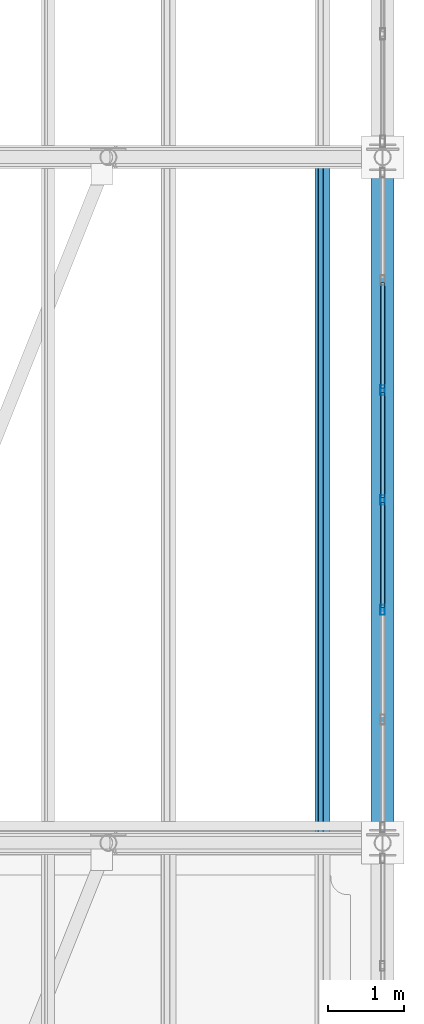
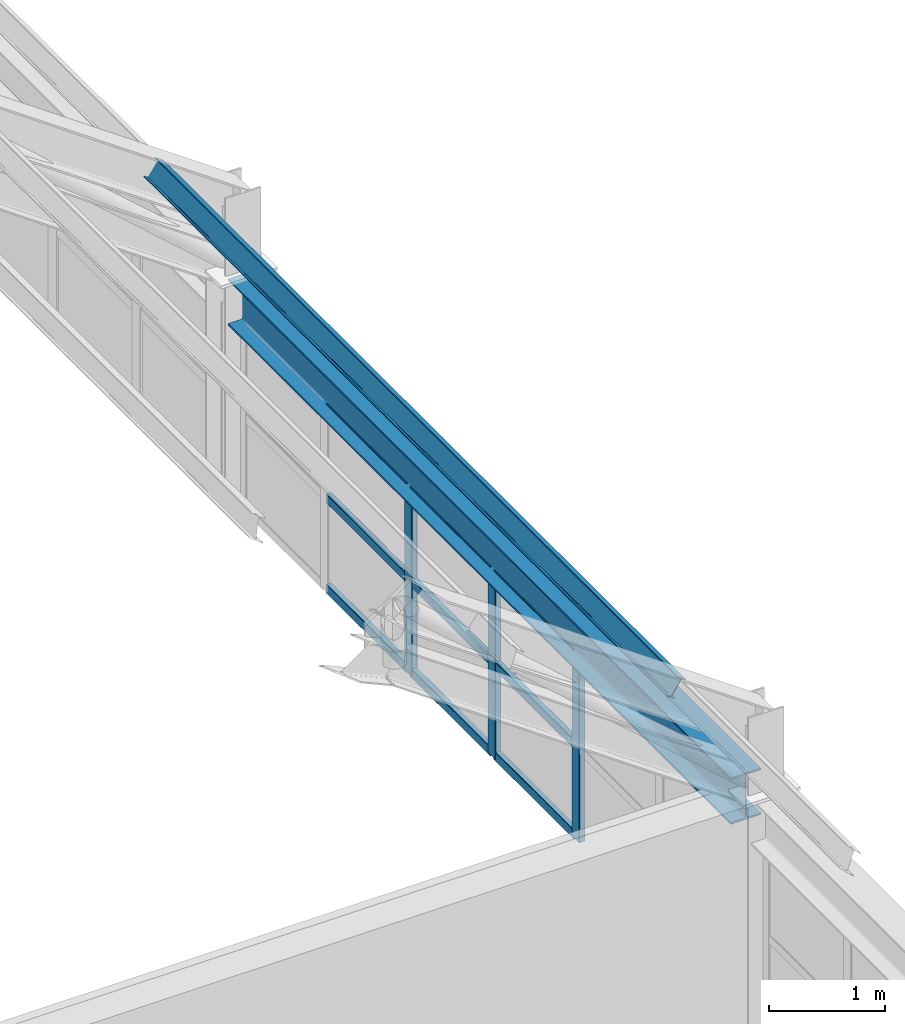
# One storey, part 41 of 121: 13 members, 1 beam, 1 element without a shape of its own.
"""IFC4 building model written with IfcOpenShell, lengths in metres."""

from ifc_helpers import new_model, si_unit, direction, frame, origin, origin_2d, place, context, subcontext, project, spatial, hollow_rectangle, i_section, extrude, material, material_profile, profile_set, type_object, element, aggregate, save


model = new_model("IFC4")

# Units and contexts
model_context = context("Model", 3, precision=1e-05, world=origin(), true_north=direction((0.0, 1.0)))
body_context = subcontext(model_context, "Body", "Model", "MODEL_VIEW")
ifc_project = project(units=[si_unit("LENGTHUNIT", "METRE"), si_unit("AREAUNIT", "SQUARE_METRE"), si_unit("VOLUMEUNIT", "CUBIC_METRE"), si_unit("PLANEANGLEUNIT", "RADIAN"), si_unit("MASSUNIT", "GRAM", prefix="KILO")], contexts=[model_context])

# Site, building, storey
site_placement = place(None, origin())
site = spatial("IfcSite", under=ifc_project, at=site_placement, CompositionType="ELEMENT")
building_placement = place(site_placement, origin())
building = spatial("IfcBuilding", under=site, at=building_placement, Name="Canglan Escarpment Cableway Terminal", CompositionType="ELEMENT")
storey_placement = place(building_placement, frame((0.0, 0.0, 24.60009765625)))
storey = spatial("IfcBuildingStorey", under=building, at=storey_placement, Name="L05", CompositionType="ELEMENT", Elevation=24.60009765625)

# Beam
ifc_material_1 = material(Name="Steel Q355B", Category="steel")
ifc_material_profile_1 = material_profile(ifc_material_1, i_section(OverallWidth=0.300048828125, OverallDepth=0.488037109375, WebThickness=0.010986328125, FlangeThickness=0.01806640625, FilletRadius=0.02587890625, at=origin_2d()), Name="HM 488x300x11x18")
ifc_profile_set_1 = profile_set([ifc_material_profile_1], Name="Steel Q355B")
beam_type = type_object("IfcBeamType", Name="BM-HM488", PredefinedType="BEAM", material=ifc_profile_set_1)
beam_placement = place(storey_placement, frame((166.39990234375, 52.175048828125, 2.1884765625), z_axis=(0.0, 1.0, 0.0), x_axis=(-1.0, 0.0, 0.0)))
element("IfcBeam", 1, at=beam_placement, inside=storey, type_object=beam_type, Name="Vault springing ring girder B-09", PredefinedType="BEAM", context=body_context, shape_type="SweptSolid", body=[
    extrude(i_section(OverallWidth=0.300048828125, OverallDepth=0.488037109375, WebThickness=0.010986328125, FlangeThickness=0.01806640625, FilletRadius=0.02587890625, at=origin_2d()), origin(), (0.0, 0.0, 1.0), 8.64990234375),
])

# Curtain wall, members
ifc_material_2 = material(Name="Anodized bronze aluminium and Low-E double glazing", Category="aluminium")
curtain_wall_type = type_object("IfcCurtainWallType", Name="CW-BAY-8650x1950", PredefinedType="NOTDEFINED", material=ifc_material_2)
curtain_wall_placement = place(storey_placement, origin())
curtain_wall = element("IfcCurtainWall", 2, at=curtain_wall_placement, inside=storey, type_object=curtain_wall_type, Name="Classical bay-between-piers glazed curtain wall CW-66", PredefinedType="NOTDEFINED")
ifc_material_3 = material(Name="Thermally broken anodized aluminium 6063-T6", Category="aluminium")
ifc_material_profile_2 = material_profile(ifc_material_3, hollow_rectangle(XDim=0.06005859375, YDim=0.1298828125, WallThickness=0.0029296875, InnerFilletRadius=0.0029296875, OuterFilletRadius=0.006103515625, at=origin_2d()), Name="ALU-MULL 60x130x3")
ifc_profile_set_2 = profile_set([ifc_material_profile_2], Name="Thermally broken anodized aluminium 6063-T6")
member_type_1 = type_object("IfcMemberType", Name="CWM-01", PredefinedType="MULLION", material=ifc_profile_set_2)
member_1_placement = place(storey_placement, frame((166.39990234375, 55.058349609375, 0.0), z_axis=(0.0, 0.0, 1.0), x_axis=(-1.0, 0.0, 0.0)))
member_1 = element("IfcMember", 3, at=member_1_placement, type_object=member_type_1, Name="CW-66 mullion 3", PredefinedType="MULLION", context=body_context, shape_type="SweptSolid", body=[
    extrude(hollow_rectangle(XDim=0.06005859375, YDim=0.1298828125, WallThickness=0.0029296875, InnerFilletRadius=0.0029296875, OuterFilletRadius=0.006103515625, at=origin_2d()), origin(), (0.0, 0.0, 1.0), 1.949951171875),
])
member_2_placement = place(storey_placement, frame((166.39990234375, 56.5, 0.0), z_axis=(0.0, 0.0, 1.0), x_axis=(-1.0, 0.0, 0.0)))
member_2 = element("IfcMember", 4, at=member_2_placement, type_object=member_type_1, Name="CW-66 mullion 4", PredefinedType="MULLION", context=body_context, shape_type="SweptSolid", body=[
    extrude(hollow_rectangle(XDim=0.06005859375, YDim=0.1298828125, WallThickness=0.0029296875, InnerFilletRadius=0.0029296875, OuterFilletRadius=0.006103515625, at=origin_2d()), origin(), (0.0, 0.0, 1.0), 1.949951171875),
])
member_3_placement = place(storey_placement, frame((166.39990234375, 57.941650390625, 0.0), z_axis=(0.0, 0.0, 1.0), x_axis=(-1.0, 0.0, 0.0)))
member_3 = element("IfcMember", 5, at=member_3_placement, type_object=member_type_1, Name="CW-66 mullion 5", PredefinedType="MULLION", context=body_context, shape_type="SweptSolid", body=[
    extrude(hollow_rectangle(XDim=0.06005859375, YDim=0.1298828125, WallThickness=0.0029296875, InnerFilletRadius=0.0029296875, OuterFilletRadius=0.006103515625, at=origin_2d()), origin(), (0.0, 0.0, 1.0), 1.949951171875),
])
ifc_material_profile_3 = material_profile(ifc_material_3, hollow_rectangle(XDim=0.054931640625, YDim=0.094970703125, WallThickness=0.0029296875, InnerFilletRadius=0.0029296875, OuterFilletRadius=0.006103515625, at=origin_2d()), Name="ALU-TRAN 55x95x3")
ifc_profile_set_3 = profile_set([ifc_material_profile_3], Name="Thermally broken anodized aluminium 6063-T6")
member_type_2 = type_object("IfcMemberType", Name="CWT-01", PredefinedType="USERDEFINED", material=ifc_profile_set_3)
member_4_placement = place(storey_placement, frame((166.39990234375, 55.08837890625, 0.02734375), z_axis=(0.0, 1.0, 0.0), x_axis=(-1.0, 0.0, 0.0)))
member_4 = element("IfcMember", 6, at=member_4_placement, type_object=member_type_2, Name="CW-66 transom 3.1", ObjectType="TRANSOM", PredefinedType="USERDEFINED", context=body_context, shape_type="SweptSolid", body=[
    extrude(hollow_rectangle(XDim=0.054931640625, YDim=0.094970703125, WallThickness=0.0029296875, InnerFilletRadius=0.0029296875, OuterFilletRadius=0.006103515625, at=origin_2d()), origin(), (0.0, 0.0, 1.0), 1.381591796875),
])
member_5_placement = place(storey_placement, frame((166.39990234375, 55.08837890625, 0.974853515625), z_axis=(0.0, 1.0, 0.0), x_axis=(-1.0, 0.0, 0.0)))
member_5 = element("IfcMember", 7, at=member_5_placement, type_object=member_type_2, Name="CW-66 transom 3.2", ObjectType="TRANSOM", PredefinedType="USERDEFINED", context=body_context, shape_type="SweptSolid", body=[
    extrude(hollow_rectangle(XDim=0.054931640625, YDim=0.094970703125, WallThickness=0.0029296875, InnerFilletRadius=0.0029296875, OuterFilletRadius=0.006103515625, at=origin_2d()), origin(), (0.0, 0.0, 1.0), 1.381591796875),
])
member_6_placement = place(storey_placement, frame((166.39990234375, 55.08837890625, 1.92236328125), z_axis=(0.0, 1.0, 0.0), x_axis=(-1.0, 0.0, 0.0)))
member_6 = element("IfcMember", 8, at=member_6_placement, type_object=member_type_2, Name="CW-66 transom 3.3", ObjectType="TRANSOM", PredefinedType="USERDEFINED", context=body_context, shape_type="SweptSolid", body=[
    extrude(hollow_rectangle(XDim=0.054931640625, YDim=0.094970703125, WallThickness=0.0029296875, InnerFilletRadius=0.0029296875, OuterFilletRadius=0.006103515625, at=origin_2d()), origin(), (0.0, 0.0, 1.0), 1.381591796875),
])
member_7_placement = place(storey_placement, frame((166.39990234375, 56.530029296875, 0.02734375), z_axis=(0.0, 1.0, 0.0), x_axis=(-1.0, 0.0, 0.0)))
member_7 = element("IfcMember", 9, at=member_7_placement, type_object=member_type_2, Name="CW-66 transom 4.1", ObjectType="TRANSOM", PredefinedType="USERDEFINED", context=body_context, shape_type="SweptSolid", body=[
    extrude(hollow_rectangle(XDim=0.054931640625, YDim=0.094970703125, WallThickness=0.0029296875, InnerFilletRadius=0.0029296875, OuterFilletRadius=0.006103515625, at=origin_2d()), origin(), (0.0, 0.0, 1.0), 1.381591796875),
])
member_8_placement = place(storey_placement, frame((166.39990234375, 56.530029296875, 0.974853515625), z_axis=(0.0, 1.0, 0.0), x_axis=(-1.0, 0.0, 0.0)))
member_8 = element("IfcMember", 10, at=member_8_placement, type_object=member_type_2, Name="CW-66 transom 4.2", ObjectType="TRANSOM", PredefinedType="USERDEFINED", context=body_context, shape_type="SweptSolid", body=[
    extrude(hollow_rectangle(XDim=0.054931640625, YDim=0.094970703125, WallThickness=0.0029296875, InnerFilletRadius=0.0029296875, OuterFilletRadius=0.006103515625, at=origin_2d()), origin(), (0.0, 0.0, 1.0), 1.381591796875),
])
member_9_placement = place(storey_placement, frame((166.39990234375, 56.530029296875, 1.92236328125), z_axis=(0.0, 1.0, 0.0), x_axis=(-1.0, 0.0, 0.0)))
member_9 = element("IfcMember", 11, at=member_9_placement, type_object=member_type_2, Name="CW-66 transom 4.3", ObjectType="TRANSOM", PredefinedType="USERDEFINED", context=body_context, shape_type="SweptSolid", body=[
    extrude(hollow_rectangle(XDim=0.054931640625, YDim=0.094970703125, WallThickness=0.0029296875, InnerFilletRadius=0.0029296875, OuterFilletRadius=0.006103515625, at=origin_2d()), origin(), (0.0, 0.0, 1.0), 1.381591796875),
])
member_10_placement = place(storey_placement, frame((166.39990234375, 57.9716796875, 0.02734375), z_axis=(0.0, 1.0, 0.0), x_axis=(-1.0, 0.0, 0.0)))
member_10 = element("IfcMember", 12, at=member_10_placement, type_object=member_type_2, Name="CW-66 transom 5.1", ObjectType="TRANSOM", PredefinedType="USERDEFINED", context=body_context, shape_type="SweptSolid", body=[
    extrude(hollow_rectangle(XDim=0.054931640625, YDim=0.094970703125, WallThickness=0.0029296875, InnerFilletRadius=0.0029296875, OuterFilletRadius=0.006103515625, at=origin_2d()), origin(), (0.0, 0.0, 1.0), 1.381591796875),
])
member_11_placement = place(storey_placement, frame((166.39990234375, 57.9716796875, 0.974853515625), z_axis=(0.0, 1.0, 0.0), x_axis=(-1.0, 0.0, 0.0)))
member_11 = element("IfcMember", 13, at=member_11_placement, type_object=member_type_2, Name="CW-66 transom 5.2", ObjectType="TRANSOM", PredefinedType="USERDEFINED", context=body_context, shape_type="SweptSolid", body=[
    extrude(hollow_rectangle(XDim=0.054931640625, YDim=0.094970703125, WallThickness=0.0029296875, InnerFilletRadius=0.0029296875, OuterFilletRadius=0.006103515625, at=origin_2d()), origin(), (0.0, 0.0, 1.0), 1.381591796875),
])
member_12_placement = place(storey_placement, frame((166.39990234375, 57.9716796875, 1.92236328125), z_axis=(0.0, 1.0, 0.0), x_axis=(-1.0, 0.0, 0.0)))
member_12 = element("IfcMember", 14, at=member_12_placement, type_object=member_type_2, Name="CW-66 transom 5.3", ObjectType="TRANSOM", PredefinedType="USERDEFINED", context=body_context, shape_type="SweptSolid", body=[
    extrude(hollow_rectangle(XDim=0.054931640625, YDim=0.094970703125, WallThickness=0.0029296875, InnerFilletRadius=0.0029296875, OuterFilletRadius=0.006103515625, at=origin_2d()), origin(), (0.0, 0.0, 1.0), 1.381591796875),
])
aggregate(curtain_wall, [member_1, member_2, member_3, member_4, member_5, member_6, member_7, member_8, member_9, member_10, member_11, member_12])

# Member
ifc_material_profile_4 = material_profile(ifc_material_1, i_section(OverallWidth=0.10009765625, OverallDepth=0.199951171875, WebThickness=0.005615234375, FlangeThickness=0.008056640625, FilletRadius=0.010986328125, at=origin_2d()), Name="HN 200x100x5.5x8")
ifc_profile_set_4 = profile_set([ifc_material_profile_4], Name="Steel Q355B")
member_type_3 = type_object("IfcMemberType", Name="MB-VAULT-PUR-HN200", PredefinedType="PURLIN", material=ifc_profile_set_4)
member_13_placement = place(storey_placement, frame((165.60791015625, 52.0, 3.712890625), z_axis=(0.0, 1.0, 0.0), x_axis=(-0.817727996784, 0.0, 0.575604832568)))
element("IfcMember", 15, at=member_13_placement, inside=storey, type_object=member_type_3, Name="Barrel-vault roof purlin PR-01", PredefinedType="PURLIN", context=body_context, shape_type="SweptSolid", body=[
    extrude(i_section(OverallWidth=0.10009765625, OverallDepth=0.199951171875, WebThickness=0.005615234375, FlangeThickness=0.008056640625, FilletRadius=0.010986328125, at=origin_2d()), origin(), (0.0, 0.0, 1.0), 9.0),
])

save(model, "model.ifc")
